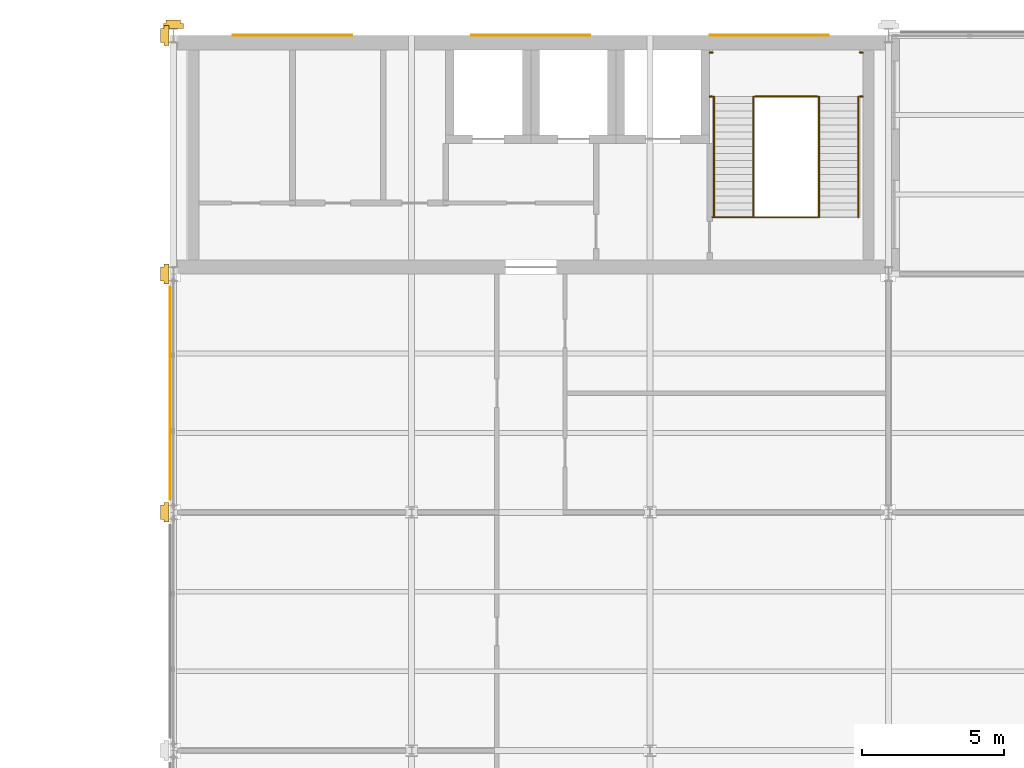
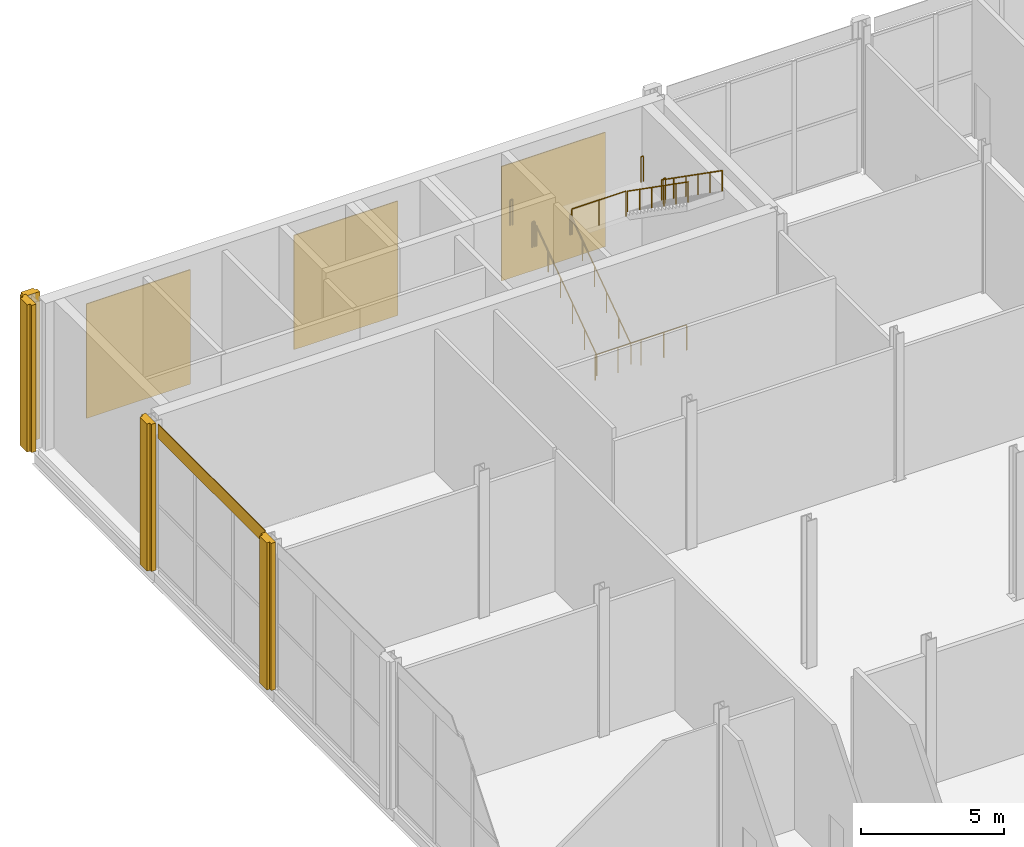
# One storey, part 75 of 77: 10 railings, 8 coverings.
"""IFC4 building model written with IfcOpenShell, lengths in metres."""

from ifc_helpers import new_model, si_unit, direction, frame, origin, origin_2d, place, context, subcontext, project, spatial, polyline, rectangle, circle, outline, extrude, material, layer, layer_set, type_object, element, save


model = new_model("IFC4")

# Units and contexts
model_context = context("Model", 3, precision=1e-05, world=origin(), true_north=direction((0.0, 1.0)))
body_context = subcontext(model_context, "Body", "Model", "MODEL_VIEW")
ifc_project = project(units=[si_unit("LENGTHUNIT", "METRE"), si_unit("AREAUNIT", "SQUARE_METRE"), si_unit("VOLUMEUNIT", "CUBIC_METRE"), si_unit("PLANEANGLEUNIT", "RADIAN"), si_unit("MASSUNIT", "GRAM", prefix="KILO")], contexts=[model_context])

# Site, building, storey
site_placement = place(None, origin())
site = spatial("IfcSite", under=ifc_project, at=site_placement, CompositionType="ELEMENT")
building_placement = place(site_placement, origin())
building = spatial("IfcBuilding", under=site, at=building_placement, Name="Catenary Quay Ferry Terminal", CompositionType="ELEMENT")
storey_placement = place(building_placement, frame((0.0, 0.0, 10.800048828125)))
storey = spatial("IfcBuildingStorey", under=building, at=storey_placement, Name="L02", CompositionType="ELEMENT", Elevation=10.800048828125)

# Coverings
ifc_material_1 = material(Name="Ceramic tile")
ifc_layer_1 = layer(ifc_material_1, 0.0400390625)
ifc_layer_set_1 = layer_set([ifc_layer_1], Name="CL2")
covering_type_1 = type_object("IfcCoveringType", Name="CL2", PredefinedType="CLADDING", material=ifc_layer_set_1)
covering_1_placement = place(storey_placement, origin())
element("IfcCovering", 1, at=covering_1_placement, inside=storey, type_object=covering_type_1, Name="Ceramic pier casing", PredefinedType="CLADDING", context=body_context, shape_type="SweptSolid", body=[
    extrude(outline(polyline([(25.050048828125, 201.949951171875), (24.8701171875, 201.949951171875), (24.8701171875, 201.85009765625), (24.75, 201.85009765625), (24.75, 201.35009765625), (24.8701171875, 201.35009765625), (24.8701171875, 201.25), (25.050048828125, 201.25), (25.050048828125, 201.949951171875)])), origin(), (0.0, 0.0, 1.0), 6.300048828125),
])
covering_2_placement = place(storey_placement, origin())
element("IfcCovering", 2, at=covering_2_placement, inside=storey, type_object=covering_type_1, Name="Ceramic pier casing", PredefinedType="CLADDING", context=body_context, shape_type="SweptSolid", body=[
    extrude(outline(polyline([(25.050048828125, 210.35009765625), (24.8701171875, 210.35009765625), (24.8701171875, 210.25), (24.75, 210.25), (24.75, 209.75), (24.8701171875, 209.75), (24.8701171875, 209.64990234375), (25.050048828125, 209.64990234375), (25.050048828125, 210.35009765625)])), origin(), (0.0, 0.0, 1.0), 6.300048828125),
])
covering_3_placement = place(storey_placement, origin())
element("IfcCovering", 3, at=covering_3_placement, inside=storey, type_object=covering_type_1, Name="Ceramic pier casing", PredefinedType="CLADDING", context=body_context, shape_type="SweptSolid", body=[
    extrude(outline(polyline([(25.550048828125, 210.25), (25.550048828125, 210.429931640625), (25.449951171875, 210.429931640625), (25.449951171875, 210.550048828125), (24.949951171875, 210.550048828125), (24.949951171875, 210.429931640625), (24.85009765625, 210.429931640625), (24.85009765625, 210.25), (25.550048828125, 210.25)])), origin(), (0.0, 0.0, 1.0), 6.300048828125),
])
covering_4_placement = place(storey_placement, origin())
element("IfcCovering", 4, at=covering_4_placement, inside=storey, type_object=covering_type_1, Name="Ceramic pier casing", PredefinedType="CLADDING", context=body_context, shape_type="SweptSolid", body=[
    extrude(outline(polyline([(25.050048828125, 193.550048828125), (24.8701171875, 193.550048828125), (24.8701171875, 193.449951171875), (24.75, 193.449951171875), (24.75, 192.949951171875), (24.8701171875, 192.949951171875), (24.8701171875, 192.85009765625), (25.050048828125, 192.85009765625), (25.050048828125, 193.550048828125)])), origin(), (0.0, 0.0, 1.0), 6.300048828125),
])
ifc_material_2 = material(Name="Ceramic tile")
ifc_layer_2 = layer(ifc_material_2, 0.034912109375)
ifc_layer_set_2 = layer_set([ifc_layer_2], Name="CL5")
covering_type_2 = type_object("IfcCoveringType", Name="CL5", PredefinedType="CLADDING", material=ifc_layer_set_2)
for number, where, z_axis, x_axis, name in (
    (5, (29.39990234375, 210.017578125, 0.39990234375), (0.0, 0.0, 1.0), (1.0, 0.0, 0.0), "Core h210.0 cladding CV332"),
    (6, (37.800048828125, 210.017578125, 0.39990234375), (0.0, 0.0, 1.0), (1.0, 0.0, 0.0), "Core h210.0 cladding CV333"),
    (7, (46.199951171875, 210.017578125, 0.39990234375), (0.0, 0.0, 1.0), (1.0, 0.0, 0.0), "Core h210.0 cladding CV334"),
):
    element("IfcCovering", number, at=place(storey_placement, frame(where, z_axis=z_axis, x_axis=x_axis)), inside=storey, type_object=covering_type_2, Name=name, PredefinedType="CLADDING", context=body_context, shape_type="SweptSolid", body=[
        extrude(rectangle(XDim=4.199951171875, YDim=0.034912109375, at=origin_2d()), origin(), (0.0, 0.0, 1.0), 4.89990234375),
    ])
ifc_material_3 = material(Name="Glazed ceramic tile, ochre")
ifc_layer_3 = layer(ifc_material_3, 0.030029296875)
ifc_layer_set_3 = layer_set([ifc_layer_3], Name="CL6")
covering_type_3 = type_object("IfcCoveringType", Name="CL6", PredefinedType="CLADDING", material=ifc_layer_set_3)
covering_5_placement = place(storey_placement, frame((25.090087890625, 197.39990234375, 5.699951171875), z_axis=(0.0, 0.0, 1.0), x_axis=(1.0, 0.0, 0.0)))
element("IfcCovering", 8, at=covering_5_placement, inside=storey, type_object=covering_type_3, Name="Band wing v25.2 cladding CV340", PredefinedType="CLADDING", context=body_context, shape_type="SweptSolid", body=[
    extrude(rectangle(XDim=0.030029296875, YDim=7.5, at=origin_2d()), origin(), (0.0, 0.0, 1.0), 0.60009765625),
])

# Railings
ifc_material_4 = material(Name="Steel and glass", Category="steel")
railing_type_1 = type_object("IfcRailingType", Name="GI1", PredefinedType="GUARDRAIL", material=ifc_material_4)
railing_1_placement = place(storey_placement, frame((44.199951171875, 203.60009765625, 0.0)))
element("IfcRailing", 9, at=railing_1_placement, inside=storey, type_object=railing_type_1, Name="HS1 well guard GI83", PredefinedType="GUARDRAIL", context=body_context, shape_type="SweptSolid", body=[
    extrude(circle(Radius=0.02392578125, at=origin_2d()), frame((0.0, 0.0, 1.076171875), z_axis=(1.0, 0.0, 0.0), x_axis=(0.0, 1.0, 0.0)), (0.0, 0.0, 1.0), 3.699951171875),
    extrude(circle(Radius=0.02099609375, at=origin_2d()), origin(), (0.0, 0.0, 1.0), 1.052001953125),
    extrude(circle(Radius=0.02099609375, at=origin_2d()), frame((0.925048828125, 0.0, 0.0)), (0.0, 0.0, 1.0), 1.052001953125),
    extrude(circle(Radius=0.02099609375, at=origin_2d()), frame((1.85009765625, 0.0, 0.0)), (0.0, 0.0, 1.0), 1.052001953125),
    extrude(circle(Radius=0.02099609375, at=origin_2d()), frame((2.77490234375, 0.0, 0.0)), (0.0, 0.0, 1.0), 1.052001953125),
    extrude(circle(Radius=0.02099609375, at=origin_2d()), frame((3.699951171875, 0.0, 0.0)), (0.0, 0.0, 1.0), 1.052001953125),
])
railing_2_placement = place(storey_placement, frame((45.699951171875, 207.85009765625, 3.14990234375)))
element("IfcRailing", 10, at=railing_2_placement, inside=storey, type_object=railing_type_1, Name="HS1 landing guard GI98", PredefinedType="GUARDRAIL", context=body_context, shape_type="SweptSolid", body=[
    extrude(circle(Radius=0.02392578125, at=origin_2d()), frame((0.0, 0.0, 1.076171875), z_axis=(1.0, 0.0, 0.0), x_axis=(0.0, 1.0, 0.0)), (0.0, 0.0, 1.0), 2.199951171875),
    extrude(circle(Radius=0.02099609375, at=origin_2d()), origin(), (0.0, 0.0, 1.0), 1.052001953125),
    extrude(circle(Radius=0.02099609375, at=origin_2d()), frame((1.10009765625, 0.0, 0.0)), (0.0, 0.0, 1.0), 1.052001953125),
    extrude(circle(Radius=0.02099609375, at=origin_2d()), frame((2.199951171875, 0.0, 0.0)), (0.0, 0.0, 1.0), 1.052001953125),
])
railing_3_placement = place(storey_placement, frame((49.5, 207.85009765625, 3.14990234375)))
element("IfcRailing", 11, at=railing_3_placement, inside=storey, type_object=railing_type_1, Name="HS1 strip 0 guard GI99", PredefinedType="GUARDRAIL", context=body_context, shape_type="SweptSolid", body=[
    extrude(circle(Radius=0.02392578125, at=origin_2d()), frame((0.0, 0.0, 1.076171875), z_axis=(-1.0, 0.0, 0.0), x_axis=(0.0, -1.0, 0.0)), (0.0, 0.0, 1.0), 0.099853515625),
    extrude(circle(Radius=0.02099609375, at=origin_2d()), origin(), (0.0, 0.0, 1.0), 1.052001953125),
    extrude(circle(Radius=0.02099609375, at=origin_2d()), frame((-0.099853515625, 0.0, 0.0)), (0.0, 0.0, 1.0), 1.052001953125),
])
for number, where, name in (
    (12, (49.400146484375, 209.39990234375, 3.14990234375), "HS1 strip 0 guard GI100"),
    (13, (44.10009765625, 209.39990234375, 3.14990234375), "HS1 strip 0 guard GI101"),
):
    element("IfcRailing", number, at=place(storey_placement, frame(where)), inside=storey, type_object=railing_type_1, Name=name, PredefinedType="GUARDRAIL", context=body_context, shape_type="SweptSolid", body=[
        extrude(circle(Radius=0.02392578125, at=origin_2d()), frame((0.0, 0.0, 1.076171875), z_axis=(1.0, 0.0, 0.0), x_axis=(0.0, 1.0, 0.0)), (0.0, 0.0, 1.0), 0.099853515625),
        extrude(circle(Radius=0.02099609375, at=origin_2d()), origin(), (0.0, 0.0, 1.0), 1.052001953125),
        extrude(circle(Radius=0.02099609375, at=origin_2d()), frame((0.099853515625, 0.0, 0.0)), (0.0, 0.0, 1.0), 1.052001953125),
    ])
railing_4_placement = place(storey_placement, frame((44.199951171875, 207.85009765625, 3.14990234375)))
element("IfcRailing", 14, at=railing_4_placement, inside=storey, type_object=railing_type_1, Name="HS1 strip 0 guard GI102", PredefinedType="GUARDRAIL", context=body_context, shape_type="SweptSolid", body=[
    extrude(circle(Radius=0.02392578125, at=origin_2d()), frame((0.0, 0.0, 1.076171875), z_axis=(-1.0, 0.0, 0.0), x_axis=(0.0, -1.0, 0.0)), (0.0, 0.0, 1.0), 0.099853515625),
    extrude(circle(Radius=0.02099609375, at=origin_2d()), origin(), (0.0, 0.0, 1.0), 1.052001953125),
    extrude(circle(Radius=0.02099609375, at=origin_2d()), frame((-0.099853515625, 0.0, 0.0)), (0.0, 0.0, 1.0), 1.052001953125),
])
ifc_material_5 = material(Name="Stainless steel", Category="steel")
railing_type_2 = type_object("IfcRailingType", Name="HR1", PredefinedType="HANDRAIL", material=ifc_material_5)
for number, where, name in (
    (15, (44.260009765625, 203.60009765625, 0.175048828125), "HS1 F1A handrail HR93"),
    (16, (45.639892578125, 203.60009765625, 0.175048828125), "HS1 F1B handrail HR94"),
):
    element("IfcRailing", number, at=place(storey_placement, frame(where)), inside=storey, type_object=railing_type_2, Name=name, PredefinedType="HANDRAIL", context=body_context, shape_type="SweptSolid", body=[
        extrude(circle(Radius=0.02392578125, at=origin_2d()), frame((0.0, 0.0, 0.8759765625), z_axis=(0.0, 0.819245185935, 0.573443393303), x_axis=(-1.0, 0.0, 0.0)), (0.0, 0.0, 1.0), 5.187744140625),
        extrude(circle(Radius=0.02099609375, at=origin_2d()), origin(), (0.0, 0.0, 1.0), 0.851806640625),
        extrude(circle(Radius=0.02099609375, at=origin_2d()), frame((0.0, 0.85009765625, 0.594970703125)), (0.0, 0.0, 1.0), 0.851806640625),
        extrude(circle(Radius=0.02099609375, at=origin_2d()), frame((0.0, 1.699951171875, 1.18994140625)), (0.0, 0.0, 1.0), 0.851806640625),
        extrude(circle(Radius=0.02099609375, at=origin_2d()), frame((0.0, 2.550048828125, 1.784912109375)), (0.0, 0.0, 1.0), 0.851806640625),
        extrude(circle(Radius=0.02099609375, at=origin_2d()), frame((0.0, 3.39990234375, 2.3798828125)), (0.0, 0.0, 1.0), 0.851806640625),
        extrude(circle(Radius=0.02099609375, at=origin_2d()), frame((0.0, 4.25, 2.974853515625)), (0.0, 0.0, 1.0), 0.851806640625),
    ])
for number, where, name in (
    (17, (47.9599609375, 207.85009765625, 3.324951171875), "HS1 F2A handrail HR95"),
    (18, (49.340087890625, 207.85009765625, 3.324951171875), "HS1 F2B handrail HR96"),
):
    element("IfcRailing", number, at=place(storey_placement, frame(where)), inside=storey, type_object=railing_type_2, Name=name, PredefinedType="HANDRAIL", context=body_context, shape_type="SweptSolid", body=[
        extrude(circle(Radius=0.02392578125, at=origin_2d()), frame((0.0, 0.0, 0.8759765625), z_axis=(0.0, -0.819223076904, 0.573474977892), x_axis=(1.0, 0.0, 0.0)), (0.0, 0.0, 1.0), 5.187744140625),
        extrude(circle(Radius=0.02099609375, at=origin_2d()), origin(), (0.0, 0.0, 1.0), 0.851806640625),
        extrude(circle(Radius=0.02099609375, at=origin_2d()), frame((0.0, -0.85009765625, 0.594970703125)), (0.0, 0.0, 1.0), 0.851806640625),
        extrude(circle(Radius=0.02099609375, at=origin_2d()), frame((0.0, -1.699951171875, 1.18994140625)), (0.0, 0.0, 1.0), 0.851806640625),
        extrude(circle(Radius=0.02099609375, at=origin_2d()), frame((0.0, -2.550048828125, 1.78515625)), (0.0, 0.0, 1.0), 0.851806640625),
        extrude(circle(Radius=0.02099609375, at=origin_2d()), frame((0.0, -3.39990234375, 2.380126953125)), (0.0, 0.0, 1.0), 0.851806640625),
        extrude(circle(Radius=0.02099609375, at=origin_2d()), frame((0.0, -4.25, 2.97509765625)), (0.0, 0.0, 1.0), 0.851806640625),
    ])

save(model, "model.ifc")
